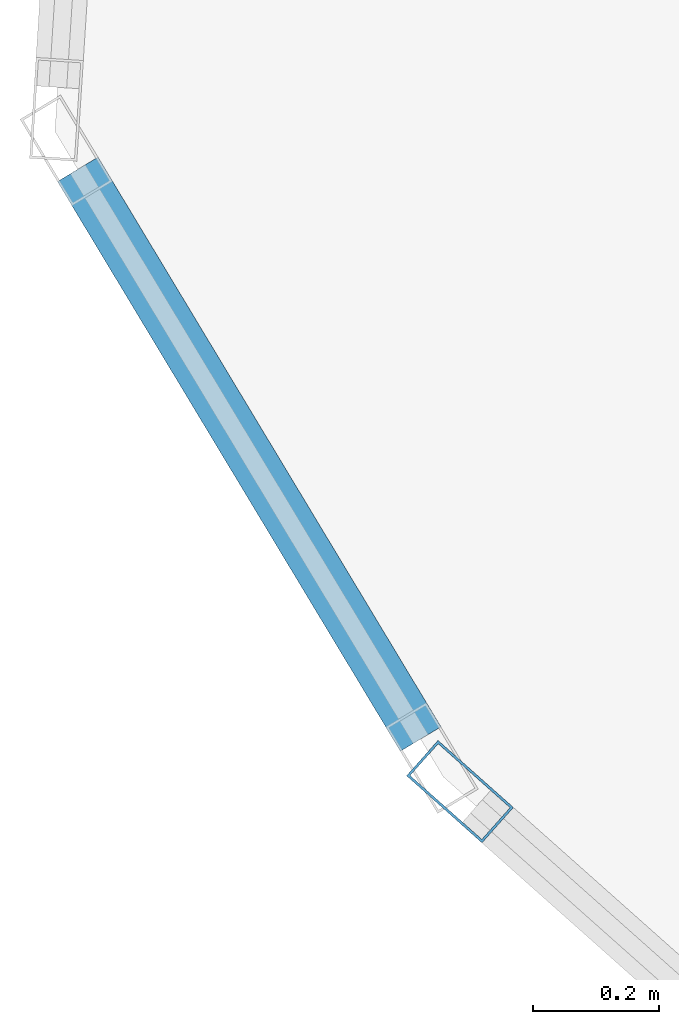
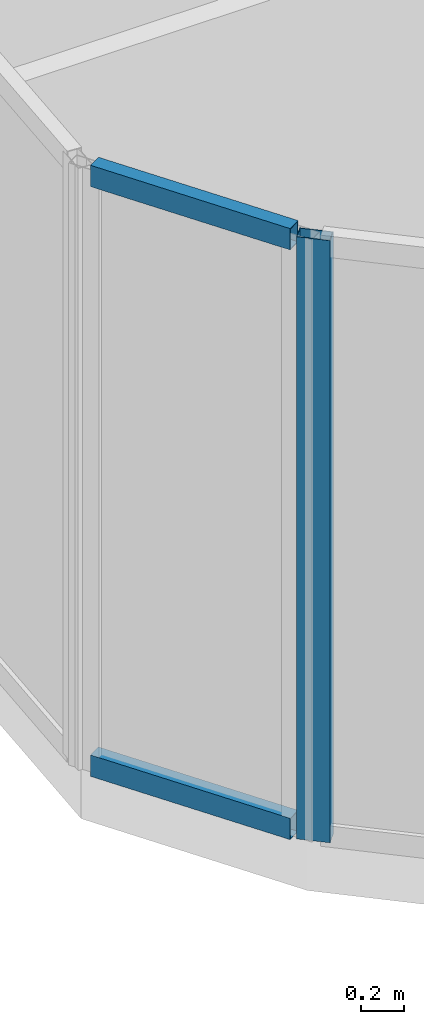
# One storey, part 4 of 28: 3 members, 2 elements without a shape of their own.
"""IFC4 building model written with IfcOpenShell, lengths in metres."""

from ifc_helpers import new_model, si_unit, direction, frame, origin, origin_2d, place, context, subcontext, project, spatial, hollow_rectangle, extrude, material, layer, layer_set, material_profile, profile_set, type_object, element, aggregate, save


model = new_model("IFC4")

# Units and contexts
model_context = context("Model", 3, precision=1e-05, world=origin(), true_north=direction((0.0, 1.0)))
body_context = subcontext(model_context, "Body", "Model", "MODEL_VIEW")
ifc_project = project(units=[si_unit("LENGTHUNIT", "METRE"), si_unit("AREAUNIT", "SQUARE_METRE"), si_unit("VOLUMEUNIT", "CUBIC_METRE"), si_unit("PLANEANGLEUNIT", "RADIAN"), si_unit("MASSUNIT", "GRAM", prefix="KILO")], contexts=[model_context])

# Site, building, storey
site_placement = place(None, origin())
site = spatial("IfcSite", under=ifc_project, at=site_placement, CompositionType="ELEMENT")
building_placement = place(site_placement, origin())
building = spatial("IfcBuilding", under=site, at=building_placement, Name="Keshet Zoharim Tower", CompositionType="ELEMENT")
storey_placement = place(building_placement, frame((0.0, 0.0, 265.800048828125)))
storey = spatial("IfcBuildingStorey", under=building, at=storey_placement, Name="L66", CompositionType="ELEMENT", Elevation=265.800048828125)

# Curtain wall, member
ifc_material = material(Name="Aluminium 6063-T6", Category="aluminium")
ifc_layer = layer(ifc_material, 0.260009765625)
ifc_layer_set = layer_set([ifc_layer], Name="Aluminium 6063-T6")
curtain_wall_type = type_object("IfcCurtainWallType", Name="CW-SYS-06", PredefinedType="NOTDEFINED", material=ifc_layer_set)
curtain_wall_1_placement = place(storey_placement, origin())
curtain_wall_1 = element("IfcCurtainWall", 1, at=curtain_wall_1_placement, inside=storey, type_object=curtain_wall_type, Name="L66 Unitised Curtain Wall 16 Part 3", PredefinedType="NOTDEFINED")
ifc_material_profile_1 = material_profile(ifc_material, hollow_rectangle(XDim=0.074951171875, YDim=0.159912109375, WallThickness=0.00390625, at=origin_2d()), Name="MUL-75x160")
ifc_profile_set_1 = profile_set([ifc_material_profile_1], Name="Aluminium 6063-T6")
member_type_1 = type_object("IfcMemberType", Name="CWM-M15", PredefinedType="MULLION", material=ifc_profile_set_1)
member_1_placement = place(storey_placement, frame((4.061279296875, 21.7568359375, 0.0), z_axis=(0.0, 0.0, 1.0), x_axis=(-0.664363838836, -0.747409318679, 0.0)))
member_1 = element("IfcMember", 2, at=member_1_placement, type_object=member_type_1, Name="CW-06 mullion 2", PredefinedType="MULLION", context=body_context, shape_type="SweptSolid", body=[
    extrude(hollow_rectangle(XDim=0.074951171875, YDim=0.159912109375, WallThickness=0.00390625, at=origin_2d()), origin(), (0.0, 0.0, 1.0), 3.389892578125),
])
aggregate(curtain_wall_1, [member_1])

# Curtain wall, members
curtain_wall_2_placement = place(storey_placement, origin())
curtain_wall_2 = element("IfcCurtainWall", 3, at=curtain_wall_2_placement, inside=storey, type_object=curtain_wall_type, Name="L66 Unitised Curtain Wall 01", PredefinedType="NOTDEFINED")
ifc_material_profile_2 = material_profile(ifc_material, hollow_rectangle(XDim=0.074951171875, YDim=0.1201171875, WallThickness=0.00390625, at=origin_2d()), Name="TRN-75x120")
ifc_profile_set_2 = profile_set([ifc_material_profile_2], Name="Aluminium 6063-T6")
member_type_2 = type_object("IfcMemberType", Name="CWT-T12", PredefinedType="USERDEFINED", material=ifc_profile_set_2)
member_2_placement = place(storey_placement, frame((3.9990234375, 21.840087890625, 0.034912109375), z_axis=(-0.515791194107, 0.856714330499, 0.0), x_axis=(-0.856714330499, -0.515791194107, 0.0)))
member_2 = element("IfcMember", 4, at=member_2_placement, type_object=member_type_2, Name="CW-06 transom 1.1", ObjectType="TRANSOM", PredefinedType="USERDEFINED", context=body_context, shape_type="SweptSolid", body=[
    extrude(hollow_rectangle(XDim=0.074951171875, YDim=0.1201171875, WallThickness=0.00390625, at=origin_2d()), origin(), (0.0, 0.0, 1.0), 1.052734375),
])
member_3_placement = place(storey_placement, frame((3.9990234375, 21.840087890625, 3.35498046875), z_axis=(-0.515791194107, 0.856714330499, 0.0), x_axis=(-0.856714330499, -0.515791194107, 0.0)))
member_3 = element("IfcMember", 5, at=member_3_placement, type_object=member_type_2, Name="CW-06 transom 1.2", ObjectType="TRANSOM", PredefinedType="USERDEFINED", context=body_context, shape_type="SweptSolid", body=[
    extrude(hollow_rectangle(XDim=0.074951171875, YDim=0.1201171875, WallThickness=0.00390625, at=origin_2d()), origin(), (0.0, 0.0, 1.0), 1.052734375),
])
aggregate(curtain_wall_2, [member_2, member_3])

save(model, "model.ifc")
